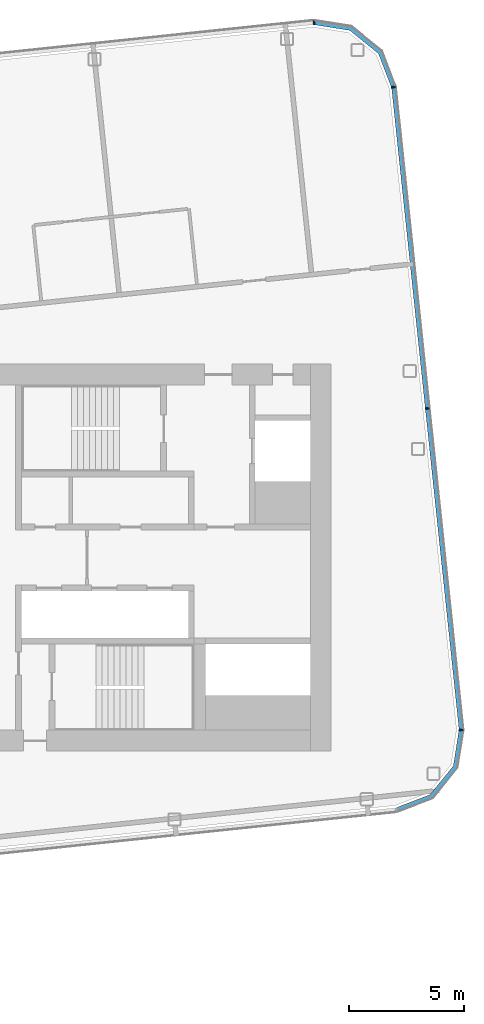
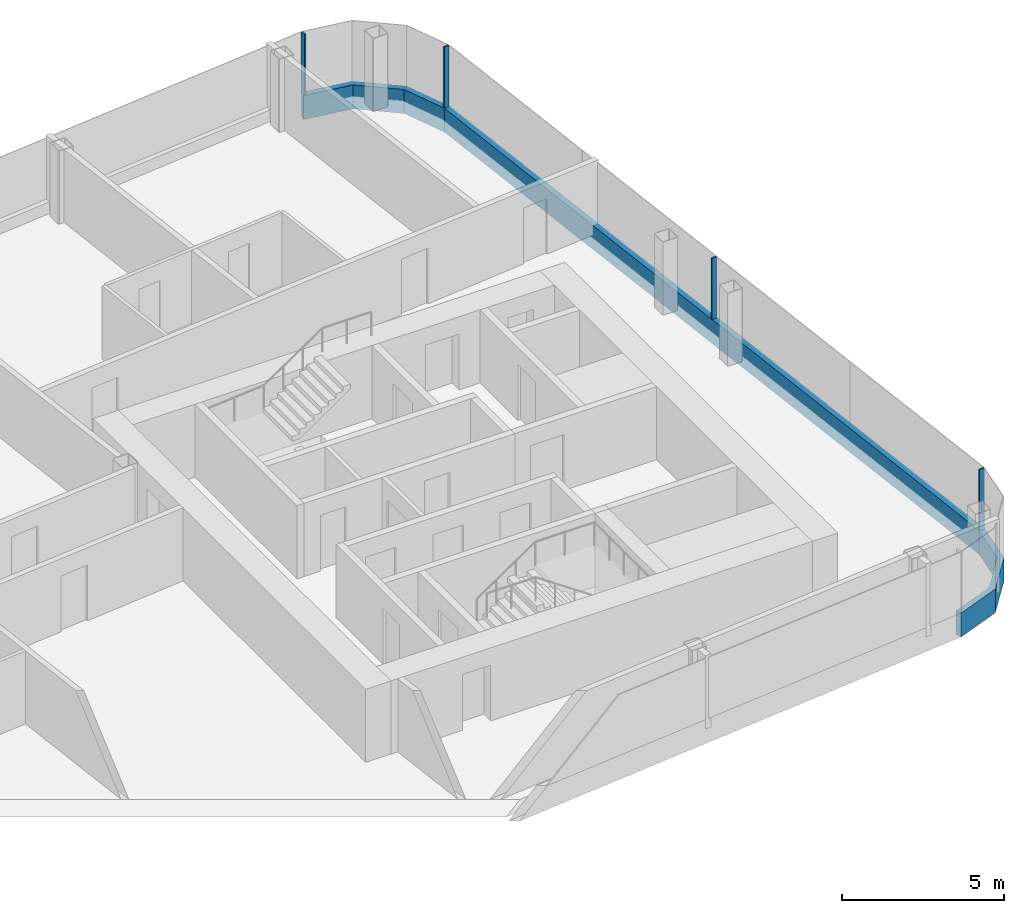
# One storey, part 12 of 26: 7 members, 4 elements without a shape of their own.
"""IFC4 building model written with IfcOpenShell, lengths in metres."""

from ifc_helpers import new_model, si_unit, direction, frame, origin, origin_2d, place, context, subcontext, project, spatial, polyline, rectangle, outline, extrude, material, layer, layer_set, material_profile, profile_set, type_object, element, aggregate, save


model = new_model("IFC4")

# Units and contexts
model_context = context("Model", 3, precision=1e-05, world=origin(), true_north=direction((0.0, 1.0)))
body_context = subcontext(model_context, "Body", "Model", "MODEL_VIEW")
ifc_project = project(units=[si_unit("LENGTHUNIT", "METRE"), si_unit("AREAUNIT", "SQUARE_METRE"), si_unit("VOLUMEUNIT", "CUBIC_METRE"), si_unit("PLANEANGLEUNIT", "RADIAN"), si_unit("MASSUNIT", "GRAM", prefix="KILO")], contexts=[model_context])

# Site, building, storey
site_placement = place(None, origin())
site = spatial("IfcSite", under=ifc_project, at=site_placement, CompositionType="ELEMENT")
building_placement = place(site_placement, origin())
building = spatial("IfcBuilding", under=site, at=building_placement, Name="Hakoniwa Tower and Hamabe Station Hall", CompositionType="ELEMENT")
storey_placement = place(building_placement, frame((0.0, 0.0, 251.800048828125)))
storey = spatial("IfcBuildingStorey", under=building, at=storey_placement, Name="L71", CompositionType="ELEMENT", Elevation=251.800048828125)

# Curtain wall, member
ifc_material_1 = material(Name="Dark low-e laminated glass", Category="glass")
ifc_layer = layer(ifc_material_1, 0.199951171875)
ifc_layer_set = layer_set([ifc_layer], Name="CW-1 UNITISED GUEST")
curtain_wall_type = type_object("IfcCurtainWallType", Name="CW-1 UNITISED GUEST", PredefinedType="NOTDEFINED", material=ifc_layer_set)
curtain_wall_1_placement = place(storey_placement, origin())
curtain_wall_1 = element("IfcCurtainWall", 1, at=curtain_wall_1_placement, inside=storey, type_object=curtain_wall_type, Name="CW-1 curtain wall", PredefinedType="NOTDEFINED")
ifc_material_2 = material(Name="Aluminium 6063-T5 black anodised", Category="aluminium")
ifc_material_profile_1 = material_profile(ifc_material_2, rectangle(XDim=0.199951171875, YDim=0.89990234375, at=origin_2d()), Name="CW SLAB-EDGE BAND 900X200")
ifc_profile_set_1 = profile_set([ifc_material_profile_1], Name="Aluminium 6063-T5 black anodised")
member_type_1 = type_object("IfcMemberType", Name="CW SLAB-EDGE BAND 900X200", PredefinedType="USERDEFINED", material=ifc_profile_set_1)
member_1_placement = place(storey_placement, frame((39.25927734375, -7.490478515625, -0.10009765625), z_axis=(-0.104529086463, 0.994521829868, 0.0), x_axis=(-0.994521829868, -0.104529086463, 0.0)))
member_1 = element("IfcMember", 2, at=member_1_placement, type_object=member_type_1, Name="CW-1 transom", ObjectType="TRANSOM", PredefinedType="USERDEFINED", context=body_context, shape_type="SweptSolid", body=[
    extrude(rectangle(XDim=0.199951171875, YDim=0.89990234375, at=origin_2d()), origin(), (0.0, 0.0, 1.0), 28.078857421875),
])

curtain_wall_2_placement = place(storey_placement, origin())
curtain_wall_2 = element("IfcCurtainWall", 3, at=curtain_wall_2_placement, inside=storey, type_object=curtain_wall_type, Name="CW-1 curtain wall", PredefinedType="NOTDEFINED")
member_2_placement = place(storey_placement, frame((0.0, 0.0, -0.550048828125)))
member_2 = element("IfcMember", 4, at=member_2_placement, type_object=member_type_1, Name="CW-1 transom", ObjectType="TRANSOM", PredefinedType="USERDEFINED", context=body_context, shape_type="SweptSolid", body=[
    extrude(outline(polyline([(36.423828125, 20.445068359375), (35.82421875, 22.0068359375), (34.492431640625, 23.085205078125), (32.84033203125, 23.346923828125), (32.80908203125, 23.1494140625), (34.408203125, 22.89599609375), (35.65673828125, 21.885009765625), (36.237060546875, 20.37353515625), (36.423828125, 20.445068359375)])), origin(), (0.0, 0.0, 1.0), 0.89990234375),
])
aggregate(curtain_wall_2, [member_2])

curtain_wall_3_placement = place(storey_placement, origin())
curtain_wall_3 = element("IfcCurtainWall", 5, at=curtain_wall_3_placement, inside=storey, type_object=curtain_wall_type, Name="CW-1 curtain wall", PredefinedType="NOTDEFINED")
member_3_placement = place(storey_placement, frame((0.0, 0.0, -0.550048828125)))
member_3 = element("IfcMember", 6, at=member_3_placement, type_object=member_type_1, Name="CW-1 transom", ObjectType="TRANSOM", PredefinedType="USERDEFINED", context=body_context, shape_type="SweptSolid", body=[
    extrude(outline(polyline([(36.45703125, -11.0634765625), (38.0185546875, -10.464111328125), (39.09716796875, -9.13232421875), (39.35888671875, -7.47998046875), (39.161376953125, -7.44873046875), (38.907958984375, -9.048095703125), (37.89697265625, -10.296630859375), (36.38525390625, -10.876708984375), (36.45703125, -11.0634765625)])), origin(), (0.0, 0.0, 1.0), 0.89990234375),
])
aggregate(curtain_wall_3, [member_3])

# Member
ifc_material_3 = material(Name="Aluminium 6063-T5 black anodised", Category="aluminium")
ifc_material_profile_2 = material_profile(ifc_material_3, rectangle(XDim=0.06005859375, YDim=0.179931640625, at=origin_2d()), Name="CW-1 MULLION 60X180")
ifc_profile_set_2 = profile_set([ifc_material_profile_2], Name="Aluminium 6063-T5 black anodised")
member_type_2 = type_object("IfcMemberType", Name="CW-1 MULLION 60X180", PredefinedType="MULLION", material=ifc_profile_set_2)
member_4_placement = place(storey_placement, frame((39.241455078125, -7.492431640625, 0.349853515625), z_axis=(0.0, 0.0, 1.0), x_axis=(-0.104528468631, 0.994521894805, 0.0)))
member_4 = element("IfcMember", 7, at=member_4_placement, type_object=member_type_2, Name="CW-1 mullion", PredefinedType="MULLION", context=body_context, shape_type="SweptSolid", body=[
    extrude(rectangle(XDim=0.06005859375, YDim=0.179931640625, at=origin_2d()), origin(), (0.0, 0.0, 1.0), 2.300048828125),
])

member_5_placement = place(storey_placement, frame((37.77392578125, 6.47021484375, 0.349853515625), z_axis=(0.0, 0.0, 1.0), x_axis=(-0.104528468631, 0.994521894805, 0.0)))
member_5 = element("IfcMember", 8, at=member_5_placement, type_object=member_type_2, Name="CW-1 mullion", PredefinedType="MULLION", context=body_context, shape_type="SweptSolid", body=[
    extrude(rectangle(XDim=0.06005859375, YDim=0.179931640625, at=origin_2d()), origin(), (0.0, 0.0, 1.0), 2.300048828125),
])

member_6_placement = place(storey_placement, frame((36.306396484375, 20.432861328125, 0.349853515625), z_axis=(0.0, 0.0, 1.0), x_axis=(-0.104528468631, 0.994521894805, 0.0)))
member_6 = element("IfcMember", 9, at=member_6_placement, type_object=member_type_2, Name="CW-1 mullion", PredefinedType="MULLION", context=body_context, shape_type="SweptSolid", body=[
    extrude(rectangle(XDim=0.06005859375, YDim=0.179931640625, at=origin_2d()), origin(), (0.0, 0.0, 1.0), 2.300048828125),
])

aggregate(curtain_wall_1, [member_4, member_5, member_6, member_1])

# Curtain wall, member
curtain_wall_4_placement = place(storey_placement, origin())
curtain_wall_4 = element("IfcCurtainWall", 10, at=curtain_wall_4_placement, inside=storey, type_object=curtain_wall_type, Name="CW-1 curtain wall", PredefinedType="NOTDEFINED")
member_7_placement = place(storey_placement, frame((32.8525390625, 23.2294921875, 0.349853515625), z_axis=(0.0, 0.0, 1.0), x_axis=(-0.994521895272, -0.104528464188, 0.0)))
member_7 = element("IfcMember", 11, at=member_7_placement, type_object=member_type_2, Name="CW-1 mullion", PredefinedType="MULLION", context=body_context, shape_type="SweptSolid", body=[
    extrude(rectangle(XDim=0.06005859375, YDim=0.179931640625, at=origin_2d()), origin(), (0.0, 0.0, 1.0), 2.300048828125),
])
aggregate(curtain_wall_4, [member_7])

save(model, "model.ifc")
